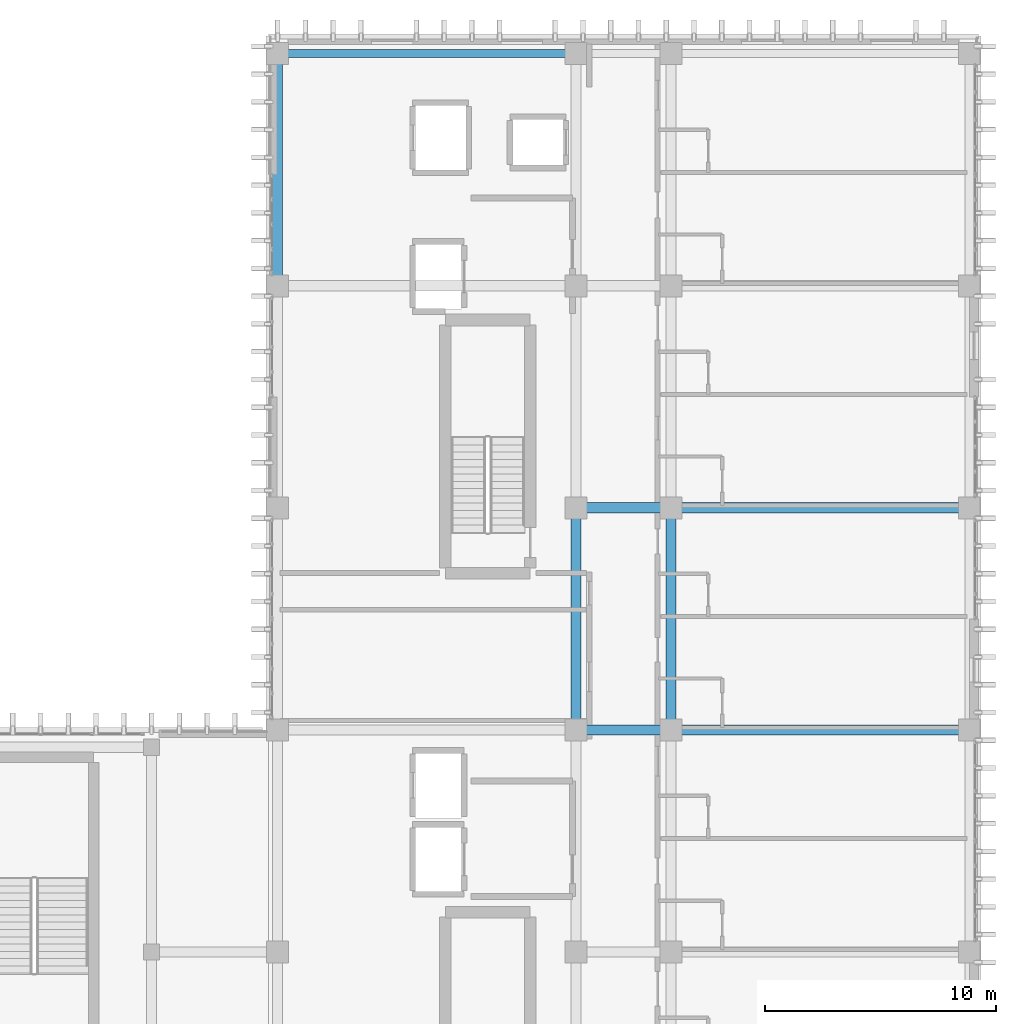
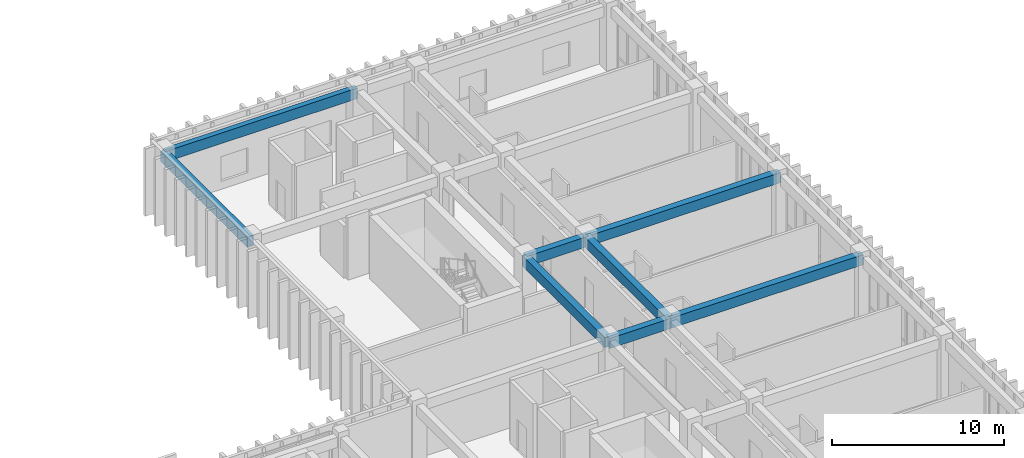
# One storey, part 79 of 133: 8 beams.
"""IFC4 building model written with IfcOpenShell, lengths in metres."""

from ifc_helpers import new_model, si_unit, direction, frame, origin, origin_2d, place, context, subcontext, project, spatial, rectangle, extrude, material, material_profile, profile_set, type_object, element, save


model = new_model("IFC4")

# Units and contexts
model_context = context("Model", 3, precision=1e-05, world=origin(), true_north=direction((0.0, 1.0)))
body_context = subcontext(model_context, "Body", "Model", "MODEL_VIEW")
ifc_project = project(units=[si_unit("LENGTHUNIT", "METRE"), si_unit("AREAUNIT", "SQUARE_METRE"), si_unit("VOLUMEUNIT", "CUBIC_METRE"), si_unit("PLANEANGLEUNIT", "RADIAN"), si_unit("MASSUNIT", "GRAM", prefix="KILO")], contexts=[model_context])

# Site, building, storey
site_placement = place(None, origin())
site = spatial("IfcSite", under=ifc_project, at=site_placement, CompositionType="ELEMENT")
building_placement = place(site_placement, origin())
building = spatial("IfcBuilding", under=site, at=building_placement, Name="Nakhvara Creek Congress Hotel", CompositionType="ELEMENT")
storey_placement = place(building_placement, frame((0.0, 0.0, 11.39990234375)))
storey = spatial("IfcBuildingStorey", under=building, at=storey_placement, Name="L02", CompositionType="ELEMENT", Elevation=11.39990234375)

# Beams
ifc_material = material(Name="Concrete C40/50", Category="concrete")
ifc_material_profile_1 = material_profile(ifc_material, rectangle(XDim=0.43994140625, YDim=0.719970703125, at=origin_2d()), Name="RC-BM 440x720", Category="LoadBearing")
ifc_profile_set_1 = profile_set([ifc_material_profile_1], Name="Concrete C40/50")
beam_type_1 = type_object("IfcBeamType", Name="BM-RC-440X720", PredefinedType="BEAM", material=ifc_profile_set_1)
beam_1_placement = place(storey_placement, frame((149.449951171875, 115.199951171875, 4.06005859375), z_axis=(0.0, 1.0, 0.0), x_axis=(-1.0, 0.0, 0.0)))
element("IfcBeam", 1, at=beam_1_placement, inside=storey, type_object=beam_type_1, Name="Beam B12-L02-1596", PredefinedType="BEAM", context=body_context, shape_type="SweptSolid", body=[
    extrude(rectangle(XDim=0.43994140625, YDim=0.719970703125, at=origin_2d()), origin(), (0.0, 0.0, 1.0), 10.050048828125),
])
beam_2_placement = place(storey_placement, frame((162.35009765625, 96.0, 4.06005859375), z_axis=(0.0, 1.0, 0.0), x_axis=(-1.0, 0.0, 0.0)))
element("IfcBeam", 2, at=beam_2_placement, inside=storey, type_object=beam_type_1, Name="Beam B12-L02-1619", PredefinedType="BEAM", context=body_context, shape_type="SweptSolid", body=[
    extrude(rectangle(XDim=0.43994140625, YDim=0.719970703125, at=origin_2d()), origin(), (0.0, 0.0, 1.0), 9.60009765625),
])
for number, where, z_axis, x_axis, name in (
    (3, (162.35009765625, 96.0, 4.06005859375), (1.0, 0.0, 0.0), (0.0, 1.0, 0.0), "Beam B12-L02-1620"),
    (4, (162.35009765625, 105.60009765625, 4.06005859375), (1.0, 0.0, 0.0), (0.0, 1.0, 0.0), "Beam B12-L02-1622"),
):
    element("IfcBeam", number, at=place(storey_placement, frame(where, z_axis=z_axis, x_axis=x_axis)), inside=storey, type_object=beam_type_1, Name=name, PredefinedType="BEAM", context=body_context, shape_type="SweptSolid", body=[
        extrude(rectangle(XDim=0.43994140625, YDim=0.719970703125, at=origin_2d()), origin(), (0.0, 0.0, 1.0), 4.099853515625),
    ])
beam_3_placement = place(storey_placement, frame((166.449951171875, 96.0, 4.06005859375), z_axis=(0.0, 1.0, 0.0), x_axis=(-1.0, 0.0, 0.0)))
element("IfcBeam", 5, at=beam_3_placement, inside=storey, type_object=beam_type_1, Name="Beam B12-L02-1644", PredefinedType="BEAM", context=body_context, shape_type="SweptSolid", body=[
    extrude(rectangle(XDim=0.43994140625, YDim=0.719970703125, at=origin_2d()), origin(), (0.0, 0.0, 1.0), 9.60009765625),
])
for number, where, z_axis, x_axis, name in (
    (6, (166.449951171875, 96.0, 4.06005859375), (1.0, 0.0, 0.0), (0.0, 1.0, 0.0), "Beam B12-L02-1645"),
    (7, (166.449951171875, 105.60009765625, 4.06005859375), (1.0, 0.0, 0.0), (0.0, 1.0, 0.0), "Beam B12-L02-1647"),
):
    element("IfcBeam", number, at=place(storey_placement, frame(where, z_axis=z_axis, x_axis=x_axis)), inside=storey, type_object=beam_type_1, Name=name, PredefinedType="BEAM", context=body_context, shape_type="SweptSolid", body=[
        extrude(rectangle(XDim=0.43994140625, YDim=0.719970703125, at=origin_2d()), origin(), (0.0, 0.0, 1.0), 12.900146484375),
    ])
ifc_material_profile_2 = material_profile(ifc_material, rectangle(XDim=0.35009765625, YDim=0.75, at=origin_2d()), Name="RC-SPANDREL 350x750", Category="LoadBearing")
ifc_profile_set_2 = profile_set([ifc_material_profile_2], Name="Concrete C40/50")
beam_type_2 = type_object("IfcBeamType", Name="BM-SPN-350X750", PredefinedType="SPANDREL", material=ifc_profile_set_2)
beam_4_placement = place(storey_placement, frame((149.449951171875, 125.25, 4.045166015625), z_axis=(1.0, 0.0, 0.0), x_axis=(0.0, 1.0, 0.0)))
element("IfcBeam", 8, at=beam_4_placement, inside=storey, type_object=beam_type_2, Name="Beam SP1-L02-1598", PredefinedType="SPANDREL", context=body_context, shape_type="SweptSolid", body=[
    extrude(rectangle(XDim=0.35009765625, YDim=0.75, at=origin_2d()), origin(), (0.0, 0.0, 1.0), 12.900146484375),
])

save(model, "model.ifc")
